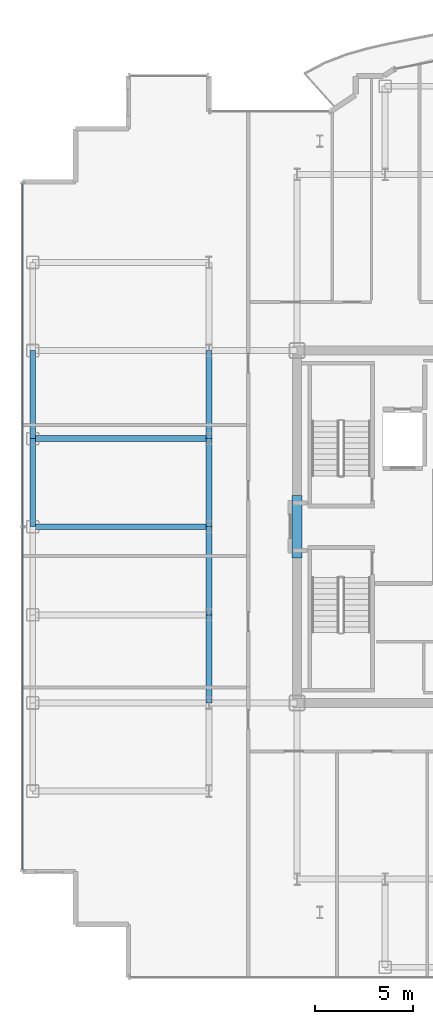
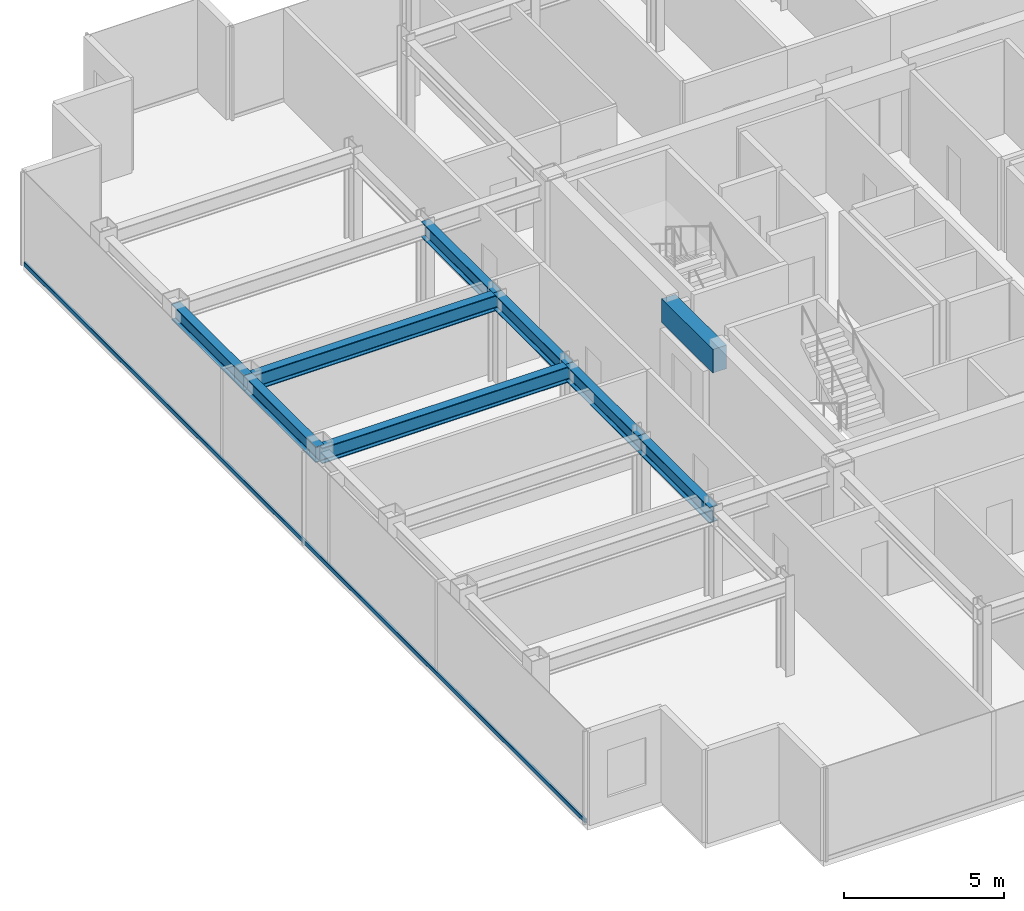
# One storey, part 5 of 18: 9 beams, 1 member, 1 element without a shape of its own.
"""IFC4 building model written with IfcOpenShell, lengths in metres."""

from ifc_helpers import new_model, si_unit, direction, frame, origin, origin_2d, place, context, subcontext, project, spatial, rectangle, hollow_rectangle, i_section, extrude, source, transform, mapped, material, layer, layer_set, material_profile, profile_set, type_object, element, aggregate, save


model = new_model("IFC4")

# Units and contexts
model_context = context("Model", 3, precision=1e-05, world=origin(), true_north=direction((0.0, 1.0)))
body_context = subcontext(model_context, "Body", "Model", "MODEL_VIEW")
ifc_project = project(units=[si_unit("LENGTHUNIT", "METRE"), si_unit("AREAUNIT", "SQUARE_METRE"), si_unit("VOLUMEUNIT", "CUBIC_METRE"), si_unit("PLANEANGLEUNIT", "RADIAN"), si_unit("MASSUNIT", "GRAM", prefix="KILO")], contexts=[model_context])

# Site, building, storey
site_placement = place(None, origin())
site = spatial("IfcSite", under=ifc_project, at=site_placement, CompositionType="ELEMENT")
building_placement = place(site_placement, origin())
building = spatial("IfcBuilding", under=site, at=building_placement, Name="Nefas-Gora Pilgrimage Tower", CompositionType="ELEMENT")
storey_placement = place(building_placement, frame((0.0, 0.0, 272.199951171875)))
storey = spatial("IfcBuildingStorey", under=building, at=storey_placement, Name="L68", CompositionType="ELEMENT", Elevation=272.199951171875)

# Beams
ifc_material_1 = material(Name="Concrete C50/60", Category="concrete")
ifc_material_profile_1 = material_profile(ifc_material_1, rectangle(XDim=0.5, YDim=0.89990234375, at=origin_2d()), Name="RC 500x900")
ifc_profile_set_1 = profile_set([ifc_material_profile_1], Name="Concrete C50/60")
beam_type_1 = type_object("IfcBeamType", Name="BM-LIN-RC900", PredefinedType="LINTEL", material=ifc_profile_set_1)
shared_shape_1 = source(origin(), body_context, "Body", "SweptSolid", [
    extrude(rectangle(XDim=0.5, YDim=0.89990234375, at=origin_2d()), origin(), (0.0, 0.0, 1.0), 3.2001953125),
])
beam_placement = place(storey_placement, frame((-11.25, -1.60009765625, 3.10009765625), z_axis=(0.0, 1.0, 0.0), x_axis=(-1.0, 0.0, 0.0)))
element("IfcBeam", 1, at=beam_placement, inside=storey, type_object=beam_type_1, Name="L68 Core Coupling Lintel Beam W", PredefinedType="LINTEL", context=body_context, shape_type="MappedRepresentation", body=[
    mapped(shared_shape_1, transform((0.0, 0.0, 0.0), x_axis=(1.0, 0.0, 0.0), y_axis=(0.0, 1.0, 0.0), z_axis=(0.0, 0.0, 1.0), scale=1.0)),
])
ifc_material_2 = material(Name="Steel S355", Category="steel")
ifc_material_profile_2 = material_profile(ifc_material_2, i_section(OverallWidth=0.300048828125, OverallDepth=0.60009765625, WebThickness=0.015380859375, FlangeThickness=0.030029296875, FilletRadius=0.027099609375, at=origin_2d()), Name="HEB 600")
ifc_profile_set_2 = profile_set([ifc_material_profile_2], Name="Steel S355")
beam_type_2 = type_object("IfcBeamType", Name="BM-SPN-HEB450", PredefinedType="SPANDREL", material=ifc_profile_set_2)
shared_shape_2 = source(origin(), body_context, "Body", "SweptSolid", [
    extrude(i_section(OverallWidth=0.300048828125, OverallDepth=0.60009765625, WebThickness=0.015380859375, FlangeThickness=0.030029296875, FilletRadius=0.027099609375, at=origin_2d()), origin(), (0.0, 0.0, 1.0), 4.5),
])
for number, where, z_axis, x_axis, name in (
    (2, (-24.75, 0.0, 3.25), (0.0, 1.0, 0.0), (-1.0, 0.0, 0.0), "L68 SP-03 beam"),
    (3, (-24.75, 4.5, 3.25), (0.0, 1.0, 0.0), (-1.0, 0.0, 0.0), "L68 SP-03 beam"),
):
    element("IfcBeam", number, at=place(storey_placement, frame(where, z_axis=z_axis, x_axis=x_axis)), inside=storey, type_object=beam_type_2, Name=name, PredefinedType="SPANDREL", context=body_context, shape_type="MappedRepresentation", body=[
        mapped(shared_shape_2, transform((0.0, 0.0, 0.0), x_axis=(1.0, 0.0, 0.0), y_axis=(0.0, 1.0, 0.0), z_axis=(0.0, 0.0, 1.0), scale=1.0)),
    ])
ifc_material_profile_3 = material_profile(ifc_material_2, i_section(OverallWidth=0.300048828125, OverallDepth=0.60009765625, WebThickness=0.015380859375, FlangeThickness=0.030029296875, FilletRadius=0.027099609375, at=origin_2d()), Name="HEB 600")
ifc_profile_set_3 = profile_set([ifc_material_profile_3], Name="Steel S355")
beam_type_3 = type_object("IfcBeamType", Name="BM-GIR-HEB600", PredefinedType="BEAM", material=ifc_profile_set_3)
shared_shape_3 = source(origin(), body_context, "Body", "SweptSolid", [
    extrude(i_section(OverallWidth=0.300048828125, OverallDepth=0.60009765625, WebThickness=0.015380859375, FlangeThickness=0.030029296875, FilletRadius=0.027099609375, at=origin_2d()), origin(), (0.0, 0.0, 1.0), 9.0),
])
for number, where, z_axis, x_axis, name in (
    (4, (-24.75, 0.0, 3.25), (1.0, 0.0, 0.0), (0.0, 1.0, 0.0), "L68 G-04 beam"),
    (5, (-24.75, 4.5, 3.25), (1.0, 0.0, 0.0), (0.0, 1.0, 0.0), "L68 G-04 beam"),
):
    element("IfcBeam", number, at=place(storey_placement, frame(where, z_axis=z_axis, x_axis=x_axis)), inside=storey, type_object=beam_type_3, Name=name, PredefinedType="BEAM", context=body_context, shape_type="MappedRepresentation", body=[
        mapped(shared_shape_3, transform((0.0, 0.0, 0.0), x_axis=(1.0, 0.0, 0.0), y_axis=(0.0, 1.0, 0.0), z_axis=(0.0, 0.0, 1.0), scale=1.0)),
    ])
shared_shape_4 = source(origin(), body_context, "Body", "SweptSolid", [
    extrude(i_section(OverallWidth=0.300048828125, OverallDepth=0.60009765625, WebThickness=0.015380859375, FlangeThickness=0.030029296875, FilletRadius=0.027099609375, at=origin_2d()), origin(), (0.0, 0.0, 1.0), 4.5),
])
for number, where, z_axis, x_axis, name in (
    (6, (-15.75, -9.0, 3.25), (0.0, 1.0, 0.0), (-1.0, 0.0, 0.0), "L68 G-04 beam"),
    (7, (-15.75, -4.5, 3.25), (0.0, 1.0, 0.0), (-1.0, 0.0, 0.0), "L68 G-04 beam"),
    (8, (-15.75, 0.0, 3.25), (0.0, 1.0, 0.0), (-1.0, 0.0, 0.0), "L68 G-04 beam"),
    (9, (-15.75, 4.5, 3.25), (0.0, 1.0, 0.0), (-1.0, 0.0, 0.0), "L68 G-04 beam"),
):
    element("IfcBeam", number, at=place(storey_placement, frame(where, z_axis=z_axis, x_axis=x_axis)), inside=storey, type_object=beam_type_3, Name=name, PredefinedType="BEAM", context=body_context, shape_type="MappedRepresentation", body=[
        mapped(shared_shape_4, transform((0.0, 0.0, 0.0), x_axis=(1.0, 0.0, 0.0), y_axis=(0.0, 1.0, 0.0), z_axis=(0.0, 0.0, 1.0), scale=1.0)),
    ])

# Curtain wall, member
ifc_material_3 = material(Name="Dark ceramic-fritted solar-control aluminium-glass curtain wall", Category="aluminium")
ifc_layer = layer(ifc_material_3, 0.219970703125)
ifc_layer_set = layer_set([ifc_layer], Name="Dark ceramic-fritted solar-control aluminium-glass curtain wall")
curtain_wall_type = type_object("IfcCurtainWallType", Name="CW-SYS-4", PredefinedType="NOTDEFINED", material=ifc_layer_set)
curtain_wall_placement = place(storey_placement, origin())
curtain_wall = element("IfcCurtainWall", 10, at=curtain_wall_placement, inside=storey, type_object=curtain_wall_type, Name="L68 Unitised Curtain Wall CW4", PredefinedType="NOTDEFINED")
ifc_material_4 = material(Name="Anodised architectural aluminium", Category="aluminium")
ifc_material_profile_4 = material_profile(ifc_material_4, hollow_rectangle(XDim=0.080078125, YDim=0.159912109375, WallThickness=0.00439453125, InnerFilletRadius=0.00439453125, OuterFilletRadius=0.009033203125, at=origin_2d()), Name="ALU TRANSOM 80x160")
ifc_profile_set_4 = profile_set([ifc_material_profile_4], Name="Anodised architectural aluminium")
member_type = type_object("IfcMemberType", Name="CWM-TRN-4", PredefinedType="USERDEFINED", material=ifc_profile_set_4)
shared_shape_5 = source(origin(), body_context, "Body", "SweptSolid", [
    extrude(hollow_rectangle(XDim=0.080078125, YDim=0.159912109375, WallThickness=0.00439453125, InnerFilletRadius=0.00439453125, OuterFilletRadius=0.009033203125, at=origin_2d()), origin(), (0.0, 0.0, 1.0), 35.06005859375),
])
member_placement = place(storey_placement, frame((-25.27001953125, 17.530029296875, 0.050048828125), z_axis=(0.0, -1.0, 0.0), x_axis=(1.0, 0.0, 0.0)))
member = element("IfcMember", 11, at=member_placement, type_object=member_type, Name="CW4 Spandrel Transom", ObjectType="TRANSOM", PredefinedType="USERDEFINED", context=body_context, shape_type="MappedRepresentation", body=[
    mapped(shared_shape_5, transform((0.0, 0.0, 0.0), x_axis=(1.0, 0.0, 0.0), y_axis=(0.0, 1.0, 0.0), z_axis=(0.0, 0.0, 1.0), scale=1.0)),
])
aggregate(curtain_wall, [member])

save(model, "model.ifc")
